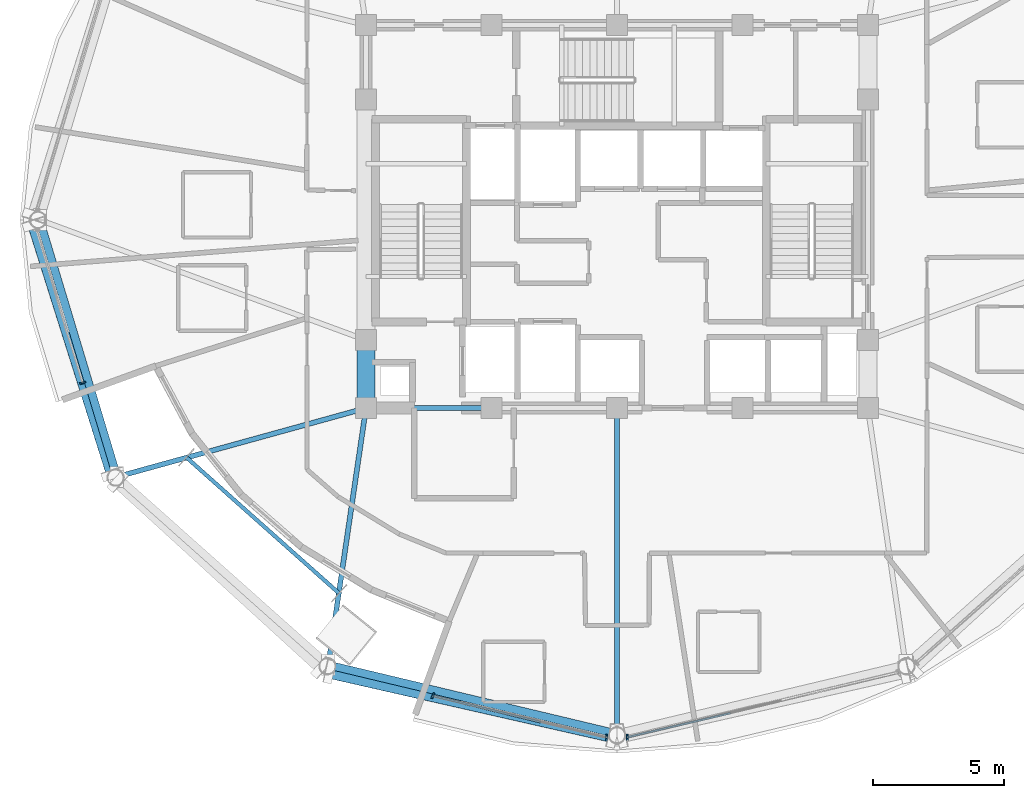
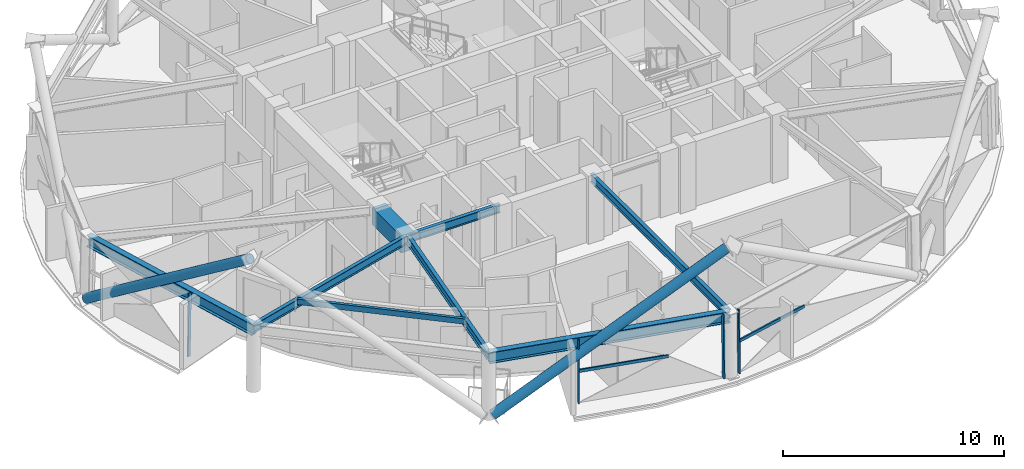
# One storey, part 2 of 18: 8 beams, 8 members, 3 elements without a shape of their own.
"""IFC4 building model written with IfcOpenShell, lengths in metres."""

import ifcopenshell
import ifcopenshell.guid

model = None  # the IFC model being written
_history = None  # IfcOwnerHistory: only IFC2X3 demands one
_inside = {}  # id of a spatial element -> (the spatial element, [elements in it])
_under = {}  # id of a project, library or spatial element -> (it, [spatial elements below it])
_declared = {}  # id of a project -> (the project, [libraries it declares])
_typed = {}  # id of a type object -> (the type object, [elements of that type])
_made_of = {}  # id of a material, layer set ... -> (it, [elements and type objects made of it])


def new_model(schema):
    """Start an empty IFC model of exactly this schema.

    Asked for "IFC4X3", IfcOpenShell would pick the latest addendum, in which some entities
    have other attributes; the version numbers below select the first issue.
    IFC2X3 requires an IfcOwnerHistory on every rooted entity: one is made here for all.
    """
    global model, _history
    if schema == "IFC4X3":
        model = ifcopenshell.file(schema_version=(4, 3, 0, 0))
    else:
        model = ifcopenshell.file(schema=schema)
    _inside.clear()
    _under.clear()
    _declared.clear()
    _typed.clear()
    _made_of.clear()
    _history = None
    if model.schema == "IFC2X3":
        org = make("IfcOrganization", Name="unknown")
        user = make(
            "IfcPersonAndOrganization",
            ThePerson=make("IfcPerson", FamilyName="unknown"),
            TheOrganization=org,
        )
        app = make(
            "IfcApplication",
            ApplicationDeveloper=org,
            Version="unknown",
            ApplicationFullName="unknown",
            ApplicationIdentifier="unknown",
        )
        _history = make(
            "IfcOwnerHistory",
            OwningUser=user,
            OwningApplication=app,
            ChangeAction="ADDED",
            CreationDate=0,
        )
    return model


def make(cls, **values):
    """One entity of the class cls with the attributes given. An attribute that is None is left unset."""
    return model.create_entity(
        cls, **{name: value for name, value in values.items() if value is not None}
    )


def rooted(cls, **values):
    """An entity with a GlobalId (a new one), such as an element, a storey or a relation."""
    return make(cls, GlobalId=ifcopenshell.guid.new(), OwnerHistory=_history, **values)


def si_unit(unit_type, name, prefix=None):
    """IfcSIUnit, for example si_unit("LENGTHUNIT", "METRE", prefix="MILLI")."""
    return make("IfcSIUnit", UnitType=unit_type, Prefix=prefix, Name=name)


def assignment(units):
    """IfcUnitAssignment: the units of a project."""
    return None if units is None else make("IfcUnitAssignment", Units=units)


def point(xyz):
    """IfcCartesianPoint."""
    return None if xyz is None else make("IfcCartesianPoint", Coordinates=xyz)


def direction(xyz):
    """IfcDirection."""
    return None if xyz is None else make("IfcDirection", DirectionRatios=xyz)


def frame(location, z_axis=None, x_axis=None):
    """IfcAxis2Placement3D, a coordinate frame: its origin and axes. An axis left out is left unset."""
    return make(
        "IfcAxis2Placement3D",
        Location=point(location),
        Axis=direction(z_axis),
        RefDirection=direction(x_axis),
    )


def frame_2d(location, x_axis=None):
    """IfcAxis2Placement2D, a coordinate frame in the plane: its origin and x axis."""
    return make(
        "IfcAxis2Placement2D", Location=point(location), RefDirection=direction(x_axis)
    )


def origin():
    """The frame at (0, 0, 0) with its axes left unset."""
    return frame((0.0, 0.0, 0.0))


def origin_2d():
    """The frame at (0, 0) in the plane with its x axis left unset."""
    return frame_2d((0.0, 0.0))


def place(relative_to, where):
    """IfcLocalPlacement: puts the frame where relative to a parent placement (None: the world)."""
    return make(
        "IfcLocalPlacement", PlacementRelTo=relative_to, RelativePlacement=where
    )


def context(
    kind, dimensions, precision=None, world=None, true_north=None, identifier=None
):
    """IfcGeometricRepresentationContext, for example the 3D "Model" context."""
    return make(
        "IfcGeometricRepresentationContext",
        ContextIdentifier=identifier,
        ContextType=kind,
        CoordinateSpaceDimension=dimensions,
        Precision=precision,
        WorldCoordinateSystem=world,
        TrueNorth=true_north,
    )


def subcontext(parent, identifier, kind, view, scale=None):
    """IfcGeometricRepresentationSubContext, for example "Body" below "Model"."""
    return make(
        "IfcGeometricRepresentationSubContext",
        ContextIdentifier=identifier,
        ContextType=kind,
        ParentContext=parent,
        TargetScale=scale,
        TargetView=view,
    )


def project(units=None, contexts=None):
    """IfcProject with its units and contexts."""
    return rooted(
        "IfcProject",
        Name="project",
        RepresentationContexts=contexts,
        UnitsInContext=assignment(units),
    )


def spatial(cls, under=None, at=None, **own):
    """A site, building, storey or space (cls), placed at a placement, below another one or the project."""
    s = rooted(cls, ObjectPlacement=at, **own)
    if under is not None:
        _under.setdefault(under.id(), (under, []))[1].append(s)
    return s


def profile(cls, at=None, kind="AREA", **sizes):
    """A parametric profile (cls). Its sizes go by their IFC names, for example OverallWidth=200.0."""
    return make(cls, ProfileType=kind, Position=at, **sizes)


def rectangle(**sizes):
    """IfcRectangleProfileDef."""
    return profile("IfcRectangleProfileDef", **sizes)


def hollow_rectangle(**sizes):
    """IfcRectangleHollowProfileDef."""
    return profile("IfcRectangleHollowProfileDef", **sizes)


def hollow_circle(**sizes):
    """IfcCircleHollowProfileDef."""
    return profile("IfcCircleHollowProfileDef", **sizes)


def i_section(**sizes):
    """IfcIShapeProfileDef."""
    return profile("IfcIShapeProfileDef", **sizes)


def extrude(swept, where, along, depth):
    """IfcExtrudedAreaSolid: the profile swept, set in the frame where, extruded along a direction by depth."""
    return make(
        "IfcExtrudedAreaSolid",
        SweptArea=swept,
        Position=where,
        ExtrudedDirection=direction(along),
        Depth=depth,
    )


def shape(context_of_items, identifier, shape_type, items):
    """IfcShapeRepresentation: the items that make up one representation, for example the "Body"."""
    return make(
        "IfcShapeRepresentation",
        ContextOfItems=context_of_items,
        RepresentationIdentifier=identifier,
        RepresentationType=shape_type,
        Items=items,
    )


def material(Name=None, Category=None):
    """IfcMaterial."""
    return make("IfcMaterial", Name=Name, Category=Category)


def layer(
    of_material, thickness, ventilated=None, Name=None, Category=None, Priority=None
):
    """IfcMaterialLayer: one layer of a wall or slab, of a material (None: an air gap)."""
    return make(
        "IfcMaterialLayer",
        Material=of_material,
        LayerThickness=thickness,
        IsVentilated=ventilated,
        Name=Name,
        Category=Category,
        Priority=Priority,
    )


def layer_set(layers, Name=None):
    """IfcMaterialLayerSet."""
    return make("IfcMaterialLayerSet", MaterialLayers=layers, LayerSetName=Name)


def material_profile(
    of_material, cross_section, Name=None, Category=None, Priority=None
):
    """IfcMaterialProfile: a cross section and its material."""
    return make(
        "IfcMaterialProfile",
        Name=Name,
        Material=of_material,
        Profile=cross_section,
        Priority=Priority,
        Category=Category,
    )


def profile_set(profiles, Name=None, composite=None):
    """IfcMaterialProfileSet."""
    return make(
        "IfcMaterialProfileSet",
        Name=Name,
        MaterialProfiles=profiles,
        CompositeProfile=composite,
    )


def made_of(thing, what):
    """Note that an element or type object is made of a material, layer set ...; save() writes the relation."""
    if what is not None:
        _made_of.setdefault(what.id(), (what, []))[1].append(thing)
    return thing


def type_object(cls, material=None, **own):
    """A type object (cls), such as IfcWallType, which elements share."""
    return made_of(rooted(cls, **own), material)


def element(
    cls,
    number,
    at=None,
    inside=None,
    cuts=None,
    type_object=None,
    material=None,
    context=None,
    identifier="Body",
    shape_type=None,
    held_by="IfcProductDefinitionShape",
    body=None,
    shapes=None,
    **own,
):
    """One element of the class cls, such as IfcWall. Its Tag is "e" and its number.

    at: its placement. inside: the storey or other place that contains it. cuts: it is an
    opening in that element (IfcRelVoidsElement). A single representation is given by context,
    identifier, shape_type and body (its items); several are given by shapes. held_by: the class
    of the entity that holds the representations. save() writes the other relations.
    """
    e = rooted(cls, Tag="e%d" % number, ObjectPlacement=at, **own)
    if body is not None:
        shapes = [shape(context, identifier, shape_type, body)]
    if shapes is not None:
        e.Representation = make(held_by, Representations=shapes)
    if inside is not None:
        _inside.setdefault(inside.id(), (inside, []))[1].append(e)
    if cuts is not None:
        rooted(
            "IfcRelVoidsElement", RelatingBuildingElement=cuts, RelatedOpeningElement=e
        )
    if type_object is not None:
        _typed.setdefault(type_object.id(), (type_object, []))[1].append(e)
    return made_of(e, material)


def aggregate(whole, parts):
    """IfcRelAggregates: a whole, such as a stair, and the parts it consists of."""
    return rooted("IfcRelAggregates", RelatingObject=whole, RelatedObjects=parts)


def save(model, path):
    """Write the relations noted so far, then the file.

    IfcRelAggregates (storeys below a building ...), IfcRelContainedInSpatialStructure (elements
    in a storey), IfcRelDefinesByType, IfcRelAssociatesMaterial and IfcRelDeclares: one each for
    every whole, place, type object, material and project.
    """
    for whole, parts in _under.values():
        aggregate(whole, parts)
    for where, things in _inside.values():
        rooted(
            "IfcRelContainedInSpatialStructure",
            RelatedElements=things,
            RelatingStructure=where,
        )
    for kind, things in _typed.values():
        rooted("IfcRelDefinesByType", RelatedObjects=things, RelatingType=kind)
    for what, things in _made_of.values():
        rooted("IfcRelAssociatesMaterial", RelatedObjects=things, RelatingMaterial=what)
    for by, libraries in _declared.values():
        rooted("IfcRelDeclares", RelatingContext=by, RelatedDefinitions=libraries)
    model.write(path)


model = new_model("IFC4")

# Units and contexts
model_context = context("Model", 3, precision=1e-05, world=origin(), true_north=direction((0.0, 1.0)))
body_context = subcontext(model_context, "Body", "Model", "MODEL_VIEW")
ifc_project = project(units=[si_unit("LENGTHUNIT", "METRE"), si_unit("AREAUNIT", "SQUARE_METRE"), si_unit("VOLUMEUNIT", "CUBIC_METRE"), si_unit("PLANEANGLEUNIT", "RADIAN"), si_unit("MASSUNIT", "GRAM", prefix="KILO")], contexts=[model_context])

# Site, building, storey
site_placement = place(None, origin())
site = spatial("IfcSite", under=ifc_project, at=site_placement, CompositionType="ELEMENT")
building_placement = place(site_placement, origin())
building = spatial("IfcBuilding", under=site, at=building_placement, Name="Vantalir Tower", CompositionType="ELEMENT")
storey_placement = place(building_placement, frame((0.0, 0.0, 212.39990234375)))
storey = spatial("IfcBuildingStorey", under=building, at=storey_placement, Name="L53", CompositionType="ELEMENT", Elevation=212.39990234375)

# Beams
ifc_material_1 = material(Name="Concrete C60/75", Category="concrete")
ifc_material_profile_1 = material_profile(ifc_material_1, rectangle(XDim=0.699951171875, YDim=0.949951171875, at=origin_2d()), Name="Concrete C60/75")
ifc_profile_set_1 = profile_set([ifc_material_profile_1], Name="Concrete C60/75")
beam_type_1 = type_object("IfcBeamType", Name="BM-CB-700x950", PredefinedType="USERDEFINED", material=ifc_profile_set_1)
beam_1_placement = place(storey_placement, frame((21.89990234375, 20.39990234375, 3.09521484375), z_axis=(0.0, -1.0, 0.0), x_axis=(1.0, 0.0, 0.0)))
element("IfcBeam", 1, at=beam_1_placement, inside=storey, type_object=beam_type_1, Name="L53 Core Coupling Girder 14", ObjectType="GIRDER", PredefinedType="USERDEFINED", context=body_context, shape_type="SweptSolid", body=[
    extrude(rectangle(XDim=0.699951171875, YDim=0.949951171875, at=origin_2d()), origin(), (0.0, 0.0, 1.0), 2.599853515625),
])
ifc_material_2 = material(Name="Steel S355", Category="steel")
ifc_material_profile_2 = material_profile(ifc_material_2, i_section(OverallWidth=0.19189453125, OverallDepth=0.462890625, WebThickness=0.010498046875, FlangeThickness=0.017578125, at=origin_2d()), Name="Steel S355")
ifc_profile_set_2 = profile_set([ifc_material_profile_2], Name="Steel S355")
beam_type_2 = type_object("IfcBeamType", Name="BM-RB-457x191", PredefinedType="BEAM", material=ifc_profile_set_2)
beam_2_placement = place(storey_placement, frame((21.89990234375, 17.800048828125, 3.338134765625), z_axis=(1.0, 0.0, 0.0), x_axis=(0.0, 1.0, 0.0)))
element("IfcBeam", 2, at=beam_2_placement, inside=storey, type_object=beam_type_2, Name="L53 Core Coupling Girder 01", PredefinedType="BEAM", context=body_context, shape_type="SweptSolid", body=[
    extrude(i_section(OverallWidth=0.19189453125, OverallDepth=0.462890625, WebThickness=0.010498046875, FlangeThickness=0.017578125, at=origin_2d()), origin(), (0.0, 0.0, 1.0), 4.800048828125),
])
beam_3_placement = place(storey_placement, frame((12.3720703125, 15.169921875, 3.338134765625), z_axis=(0.963946970196, 0.266094416797, 0.0), x_axis=(-0.266094416797, 0.963946970196, 0.0)))
element("IfcBeam", 3, at=beam_3_placement, inside=storey, type_object=beam_type_2, Name="L53 Radial Floor Beam 08", PredefinedType="BEAM", context=body_context, shape_type="SweptSolid", body=[
    extrude(i_section(OverallWidth=0.19189453125, OverallDepth=0.462890625, WebThickness=0.010498046875, FlangeThickness=0.017578125, at=origin_2d()), origin(), (0.0, 0.0, 1.0), 9.88427734375),
])
beam_4_placement = place(storey_placement, frame((20.4560546875, 7.972900390625, 3.338134765625), z_axis=(0.145363786008, 0.989378274331, 0.0), x_axis=(-0.989378274331, 0.145363786008, 0.0)))
element("IfcBeam", 4, at=beam_4_placement, inside=storey, type_object=beam_type_2, Name="L53 Radial Floor Beam 09", PredefinedType="BEAM", context=body_context, shape_type="SweptSolid", body=[
    extrude(i_section(OverallWidth=0.19189453125, OverallDepth=0.462890625, WebThickness=0.010498046875, FlangeThickness=0.017578125, at=origin_2d()), origin(), (0.0, 0.0, 1.0), 9.9326171875),
])
beam_5_placement = place(storey_placement, frame((31.5, 5.339111328125, 3.338134765625), z_axis=(0.0, 1.0, 0.0), x_axis=(-1.0, 0.0, 0.0)))
element("IfcBeam", 5, at=beam_5_placement, inside=storey, type_object=beam_type_2, Name="L53 Radial Floor Beam 10", PredefinedType="BEAM", context=body_context, shape_type="SweptSolid", body=[
    extrude(i_section(OverallWidth=0.19189453125, OverallDepth=0.462890625, WebThickness=0.010498046875, FlangeThickness=0.017578125, at=origin_2d()), origin(), (0.0, 0.0, 1.0), 12.4609375),
])
ifc_material_3 = material(Name="Steel S460", Category="steel")
ifc_material_profile_3 = material_profile(ifc_material_3, i_section(OverallWidth=0.306884765625, OverallDepth=0.6201171875, WebThickness=0.01416015625, FlangeThickness=0.023681640625, at=origin_2d()), Name="Steel S460")
ifc_profile_set_3 = profile_set([ifc_material_profile_3], Name="Steel S460")
beam_type_3 = type_object("IfcBeamType", Name="BM-RG-610x305", PredefinedType="USERDEFINED", material=ifc_profile_set_3)
beam_6_placement = place(storey_placement, frame((9.4130859375, 25.0, 3.260009765625), z_axis=(0.288237950432, -0.957558814868, 0.0), x_axis=(0.957558814868, 0.288237950432, 0.0)))
element("IfcBeam", 6, at=beam_6_placement, inside=storey, type_object=beam_type_3, Name="L53 Circumferential Ring Girder 07", ObjectType="GIRDER", PredefinedType="USERDEFINED", context=body_context, shape_type="SweptSolid", body=[
    extrude(i_section(OverallWidth=0.306884765625, OverallDepth=0.6201171875, WebThickness=0.01416015625, FlangeThickness=0.023681640625, at=origin_2d()), origin(), (0.0, 0.0, 1.0), 10.265869140625),
])
beam_7_placement = place(storey_placement, frame((20.4560546875, 7.972900390625, 3.260009765625), z_axis=(0.972721243769, -0.23197711508, 0.0), x_axis=(0.23197711508, 0.972721243769, 0.0)))
element("IfcBeam", 7, at=beam_7_placement, inside=storey, type_object=beam_type_3, Name="L53 Circumferential Ring Girder 09", ObjectType="GIRDER", PredefinedType="USERDEFINED", context=body_context, shape_type="SweptSolid", body=[
    extrude(i_section(OverallWidth=0.306884765625, OverallDepth=0.6201171875, WebThickness=0.01416015625, FlangeThickness=0.023681640625, at=origin_2d()), origin(), (0.0, 0.0, 1.0), 11.353759765625),
])
ifc_material_profile_4 = material_profile(ifc_material_2, hollow_rectangle(XDim=0.14990234375, YDim=0.300048828125, WallThickness=0.011962890625, at=origin_2d()), Name="Steel S355")
ifc_profile_set_4 = profile_set([ifc_material_profile_4], Name="Steel S355")
beam_type_4 = type_object("IfcBeamType", Name="BM-SP-300x150", PredefinedType="LINTEL", material=ifc_profile_set_4)
beam_8_placement = place(storey_placement, frame((15.0400390625, 15.906005859375, 3.420166015625), z_axis=(0.746930280839, -0.664902365438, 0.0), x_axis=(0.664902365438, 0.746930280839, 0.0)))
element("IfcBeam", 8, at=beam_8_placement, inside=storey, type_object=beam_type_4, Name="L53 SG3 Recessed Edge Lintel 1", PredefinedType="LINTEL", context=body_context, shape_type="SweptSolid", body=[
    extrude(hollow_rectangle(XDim=0.14990234375, YDim=0.300048828125, WallThickness=0.011962890625, at=origin_2d()), origin(), (0.0, 0.0, 1.0), 7.7919921875),
])

# Curtain wall, member
ifc_material_4 = material(Name="Champagne-silver PVDF aluminium and double-silver Low-E glass", Category="aluminium")
ifc_layer = layer(ifc_material_4, 0.2099609375)
ifc_layer_set = layer_set([ifc_layer], Name="Champagne-silver PVDF aluminium and double-silver Low-E glass")
curtain_wall_type = type_object("IfcCurtainWallType", Name="CW-DIAMOND-Z3", PredefinedType="USERDEFINED", material=ifc_layer_set)
curtain_wall_1_placement = place(storey_placement, origin())
curtain_wall_1 = element("IfcCurtainWall", 9, at=curtain_wall_1_placement, inside=storey, type_object=curtain_wall_type, Name="L53 Quilted Pyramid-Diamond Curtain Wall S07", ObjectType="UNITISED CURTAIN WALL", PredefinedType="USERDEFINED")
ifc_material_5 = material(Name="Champagne-silver PVDF aluminium 6063-T6", Category="aluminium")
ifc_material_profile_5 = material_profile(ifc_material_5, hollow_rectangle(XDim=0.070068359375, YDim=0.1650390625, WallThickness=0.00390625, at=origin_2d()), Name="Champagne-silver PVDF aluminium 6063-T6")
ifc_profile_set_5 = profile_set([ifc_material_profile_5], Name="Champagne-silver PVDF aluminium 6063-T6")
member_type_1 = type_object("IfcMemberType", Name="CWM-165x70", PredefinedType="MULLION", material=ifc_profile_set_5)
member_1_placement = place(storey_placement, frame((11.027099609375, 18.7529296875, 0.045166015625), z_axis=(0.019499200526, 0.006312690818, 0.999789943495), x_axis=(-0.308002513919, 0.951385542995, 0.0)))
member_1 = element("IfcMember", 10, at=member_1_placement, type_object=member_type_1, Name="CW-L53-S07 Mullion 2", PredefinedType="MULLION", context=body_context, shape_type="SweptSolid", body=[
    extrude(hollow_rectangle(XDim=0.070068359375, YDim=0.1650390625, WallThickness=0.00390625, at=origin_2d()), origin(), (0.0, 0.0, 1.0), 3.480712890625),
])
aggregate(curtain_wall_1, [member_1])

# Curtain wall, members
curtain_wall_2_placement = place(storey_placement, origin())
curtain_wall_2 = element("IfcCurtainWall", 11, at=curtain_wall_2_placement, inside=storey, type_object=curtain_wall_type, Name="L53 Quilted Pyramid-Diamond Curtain Wall S09", ObjectType="UNITISED CURTAIN WALL", PredefinedType="USERDEFINED")
member_2_placement = place(storey_placement, frame((24.447998046875, 6.76611328125, 0.045166015625), z_axis=(0.007154611354, 0.017465668894, 0.999821865107), x_axis=(-0.925369259271, 0.379066925484, 0.0)))
member_2 = element("IfcMember", 12, at=member_2_placement, type_object=member_type_1, Name="CW-L53-S09 Mullion 1", PredefinedType="MULLION", context=body_context, shape_type="SweptSolid", body=[
    extrude(hollow_rectangle(XDim=0.070068359375, YDim=0.1650390625, WallThickness=0.00390625, at=origin_2d()), origin(), (0.0, 0.0, 1.0), 3.480712890625),
])
member_3_placement = place(storey_placement, frame((31.10107421875, 5.177978515625, 0.045166015625), z_axis=(0.0, 0.018938654052, 0.999820647608), x_axis=(-1.0, 0.0, 0.0)))
member_3 = element("IfcMember", 13, at=member_3_placement, type_object=member_type_1, Name="CW-L53-S09 Mullion 2", PredefinedType="MULLION", context=body_context, shape_type="SweptSolid", body=[
    extrude(hollow_rectangle(XDim=0.070068359375, YDim=0.1650390625, WallThickness=0.00390625, at=origin_2d()), origin(), (0.0, 0.0, 1.0), 3.480712890625),
])

# Curtain wall, member
curtain_wall_3_placement = place(storey_placement, origin())
curtain_wall_3 = element("IfcCurtainWall", 14, at=curtain_wall_3_placement, inside=storey, type_object=curtain_wall_type, Name="L53 Quilted Pyramid-Diamond Curtain Wall S10", ObjectType="UNITISED CURTAIN WALL", PredefinedType="USERDEFINED")
member_4_placement = place(storey_placement, frame((31.89892578125, 5.177978515625, 0.045166015625), z_axis=(0.0, 0.018938654052, 0.999820647608), x_axis=(-1.0, 0.0, 0.0)))
member_4 = element("IfcMember", 15, at=member_4_placement, type_object=member_type_1, Name="CW-L53-S10 Mullion 1", PredefinedType="MULLION", context=body_context, shape_type="SweptSolid", body=[
    extrude(hollow_rectangle(XDim=0.070068359375, YDim=0.1650390625, WallThickness=0.00390625, at=origin_2d()), origin(), (0.0, 0.0, 1.0), 3.480712890625),
])

# Member
ifc_material_profile_6 = material_profile(ifc_material_5, hollow_rectangle(XDim=0.074951171875, YDim=0.159912109375, WallThickness=0.00390625, at=origin_2d()), Name="Champagne-silver PVDF aluminium 6063-T6")
ifc_profile_set_6 = profile_set([ifc_material_profile_6], Name="Champagne-silver PVDF aluminium 6063-T6")
member_type_2 = type_object("IfcMemberType", Name="CWT-160x75", PredefinedType="USERDEFINED", material=ifc_profile_set_6)
member_5_placement = place(storey_placement, frame((24.4599609375, 6.797119140625, 1.78515625), z_axis=(0.971320952403, -0.237772175459, 0.0), x_axis=(0.237772175459, 0.971320952403, 0.0)))
member_5 = element("IfcMember", 16, at=member_5_placement, type_object=member_type_2, Name="CW-L53-S09 Pyramid Fold Ridge Transom", ObjectType="TRANSOM", PredefinedType="USERDEFINED", context=body_context, shape_type="SweptSolid", body=[
    extrude(hollow_rectangle(XDim=0.074951171875, YDim=0.159912109375, WallThickness=0.00390625, at=origin_2d()), origin(), (0.0, 0.0, 1.0), 4.235595703125),
])

aggregate(curtain_wall_2, [member_2, member_3, member_5])

member_6_placement = place(storey_placement, frame((31.89892578125, 5.2109375, 1.78515625), z_axis=(0.973996264917, 0.226564065834, 0.0), x_axis=(-0.226564065834, 0.973996264917, 0.0)))
member_6 = element("IfcMember", 17, at=member_6_placement, type_object=member_type_2, Name="CW-L53-S10 Pyramid Fold Ridge Transom", ObjectType="TRANSOM", PredefinedType="USERDEFINED", context=body_context, shape_type="SweptSolid", body=[
    extrude(hollow_rectangle(XDim=0.074951171875, YDim=0.159912109375, WallThickness=0.00390625, at=origin_2d()), origin(), (0.0, 0.0, 1.0), 4.04736328125),
])

aggregate(curtain_wall_3, [member_4, member_6])

# Members
ifc_material_profile_7 = material_profile(ifc_material_3, hollow_circle(Radius=0.25, WallThickness=0.031982421875, at=origin_2d()), Name="Steel S460")
ifc_profile_set_7 = profile_set([ifc_material_profile_7], Name="Steel S460")
member_type_3 = type_object("IfcMemberType", Name="MEM-DB-500x32", PredefinedType="BRACE", material=ifc_profile_set_7)
member_7_placement = place(storey_placement, frame((9.2041015625, 24.826904296875, 0.205078125), z_axis=(0.247689284708, -0.784834437177, 0.568053628156), x_axis=(0.953636093044, 0.300962127257, 0.0)))
element("IfcMember", 18, at=member_7_placement, inside=storey, type_object=member_type_3, Name="L53 Perimeter S460 Diagrid Brace R19L", PredefinedType="BRACE", context=body_context, shape_type="SweptSolid", body=[
    extrude(hollow_circle(Radius=0.25, WallThickness=0.031982421875, at=origin_2d()), origin(), (0.0, 0.0, 1.0), 12.164306640625),
])
member_8_placement = place(storey_placement, frame((20.506103515625, 7.7099609375, 0.197021484375), z_axis=(0.827064727535, -0.187801176446, 0.529806242502), x_axis=(0.221432653639, 0.975175666176, 0.0)))
element("IfcMember", 19, at=member_8_placement, inside=storey, type_object=member_type_3, Name="L53 Perimeter S460 Diagrid Brace R25L", PredefinedType="BRACE", context=body_context, shape_type="SweptSolid", body=[
    extrude(hollow_circle(Radius=0.25, WallThickness=0.031982421875, at=origin_2d()), origin(), (0.0, 0.0, 1.0), 13.07275390625),
])

save(model, "model.ifc")
